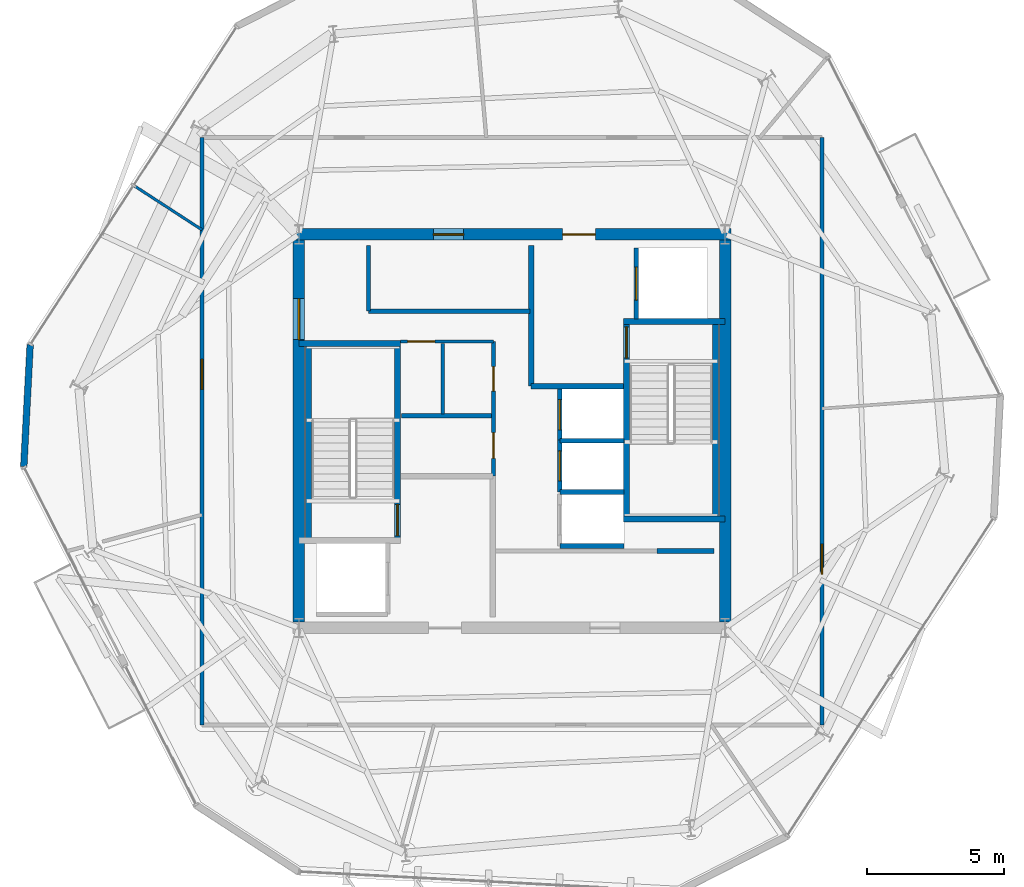
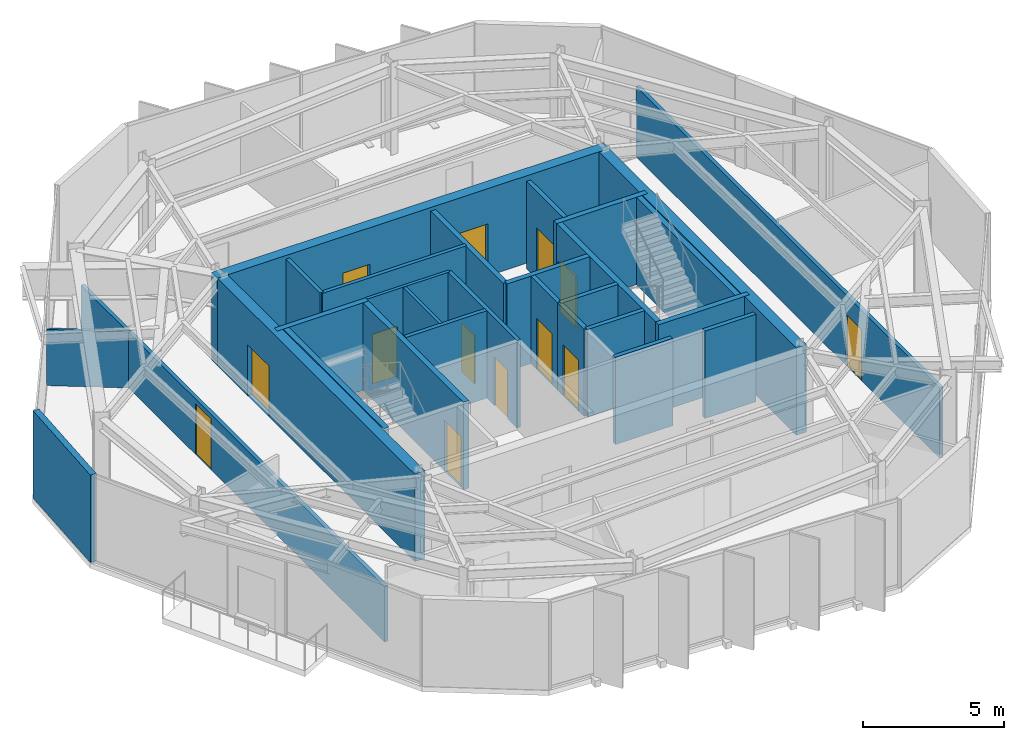
# One storey, part 8 of 11: 29 walls, 13 doors, 13 openings.
"""IFC4 building model written with IfcOpenShell, lengths in metres."""

from ifc_helpers import new_model, si_unit, direction, frame, frame_2d, origin, place, context, subcontext, project, spatial, rectangle, extrude, material, layer, layer_set, type_object, element, fill, save


model = new_model("IFC4")

# Units and contexts
model_context = context("Model", 3, precision=1e-05, world=origin(), true_north=direction((0.0, 1.0)))
body_context = subcontext(model_context, "Body", "Model", "MODEL_VIEW")
ifc_project = project(units=[si_unit("LENGTHUNIT", "METRE"), si_unit("AREAUNIT", "SQUARE_METRE"), si_unit("VOLUMEUNIT", "CUBIC_METRE"), si_unit("PLANEANGLEUNIT", "RADIAN"), si_unit("MASSUNIT", "GRAM", prefix="KILO")], contexts=[model_context])

# Site, building, storey
site_placement = place(None, origin())
site = spatial("IfcSite", under=ifc_project, at=site_placement, CompositionType="ELEMENT")
building_placement = place(site_placement, origin())
building = spatial("IfcBuilding", under=site, at=building_placement, Name="Kranzbogen Civic Tower", CompositionType="ELEMENT")
storey_placement = place(building_placement, frame((0.0, 0.0, 254.199951171875)))
storey = spatial("IfcBuildingStorey", under=building, at=storey_placement, Name="L61", CompositionType="ELEMENT", Elevation=254.199951171875)

# Walls
ifc_material_1 = material(Name="Double-Stud Acoustic Gypsum Partition")
ifc_layer_1 = layer(ifc_material_1, 0.14990234375, Name="Double-Stud Acoustic Gypsum Partition")
ifc_layer_set_1 = layer_set([ifc_layer_1], Name="Double-Stud Acoustic Gypsum Partition")
wall_type_1 = type_object("IfcWallType", Name="Acoustic Corridor and Clinical Partition 150 mm", PredefinedType="PARTITIONING", material=ifc_layer_set_1)
wall_1_placement = place(storey_placement, frame((19.75, 29.389892578125, 0.0), z_axis=(0.0, 0.0, 1.0), x_axis=(1.0, 0.0, 0.0)))
element("IfcWall", 1, at=wall_1_placement, inside=storey, type_object=wall_type_1, Name="L61 digital comms South wall", PredefinedType="PARTITIONING", context=body_context, shape_type="SweptSolid", body=[
    extrude(rectangle(XDim=5.89990234375, YDim=0.14990234375, at=frame_2d((2.949951171875, 0.0))), origin(), (0.0, 0.0, 1.0), 3.780029296875),
])
wall_2_placement = place(storey_placement, frame((19.75, 29.389892578125, 0.0), z_axis=(0.0, 0.0, 1.0), x_axis=(0.0, 1.0, 0.0)))
element("IfcWall", 2, at=wall_2_placement, inside=storey, type_object=wall_type_1, Name="L61 digital comms West wall", PredefinedType="PARTITIONING", context=body_context, shape_type="SweptSolid", body=[
    extrude(rectangle(XDim=2.41015625, YDim=0.14990234375, at=frame_2d((1.205078125, 0.0))), origin(), (0.0, 0.0, 1.0), 3.780029296875),
])

# Wall, opening, door
wall_3_placement = place(storey_placement, frame((36.35009765625, 35.75, 0.0), z_axis=(0.0, 0.0, 1.0), x_axis=(0.0, -1.0, 0.0)))
wall_3 = element("IfcWall", 3, at=wall_3_placement, inside=storey, type_object=wall_type_1, Name="L61 corridor partition 02", PredefinedType="PARTITIONING", context=body_context, shape_type="SweptSolid", body=[
    extrude(rectangle(XDim=21.5, YDim=0.14990234375, at=frame_2d((10.75, 0.0))), origin(), (0.0, 0.0, 1.0), 3.050048828125),
])
opening_1_placement = place(wall_3_placement, frame((14.887939453125, 0.0, 0.0)))
opening_1 = element("IfcOpeningElement", 4, at=opening_1_placement, cuts=wall_3, Name="Opening D-COR60", PredefinedType="OPENING", context=body_context, shape_type="SweptSolid", body=[
    extrude(rectangle(XDim=1.10009765625, YDim=2.199951171875, at=frame_2d((0.550048828125, 1.10009765625))), frame((0.0, 0.0849609375, 0.0), z_axis=(0.0, -1.0, 0.0), x_axis=(1.0, 0.0, 0.0)), (0.0, 0.0, 1.0), 0.169921875),
])
ifc_material_2 = material(Name="Oak Timber and Fire Core", Category="wood")
door_type_1 = type_object("IfcDoorType", Name="Corridor Acoustic Fire Door 1100x2200", OperationType="NOTDEFINED", PredefinedType="DOOR", material=ifc_material_2)
door_1_placement = place(opening_1_placement, origin())
door_1 = element("IfcDoor", 5, at=door_1_placement, inside=storey, type_object=door_type_1, Name="L61 Protocol Entrance Reception door", OperationType="SINGLE_SWING_RIGHT", OverallHeight=2.199951171875, OverallWidth=1.10009765625, PredefinedType="DOOR", context=body_context, shape_type="SweptSolid", body=[
    extrude(rectangle(XDim=1.10009765625, YDim=2.199951171875, at=frame_2d((0.550048828125, 1.10009765625))), frame((0.0, 0.02490234375, 0.0), z_axis=(0.0, -1.0, 0.0), x_axis=(1.0, 0.0, 0.0)), (0.0, 0.0, 1.0), 0.050048828125),
])
fill(opening_1, door_1)

wall_4_placement = place(storey_placement, frame((13.64990234375, 14.25, 0.0), z_axis=(0.0, 0.0, 1.0), x_axis=(0.0, 1.0, 0.0)))
wall_4 = element("IfcWall", 6, at=wall_4_placement, inside=storey, type_object=wall_type_1, Name="L61 corridor partition 04", PredefinedType="PARTITIONING", context=body_context, shape_type="SweptSolid", body=[
    extrude(rectangle(XDim=21.5, YDim=0.14990234375, at=frame_2d((10.75, 0.0))), origin(), (0.0, 0.0, 1.0), 2.400146484375),
])
opening_2_placement = place(wall_4_placement, frame((12.281005859375, 0.0, 0.0)))
opening_2 = element("IfcOpeningElement", 7, at=opening_2_placement, cuts=wall_4, Name="Opening D-COR60", PredefinedType="OPENING", context=body_context, shape_type="SweptSolid", body=[
    extrude(rectangle(XDim=1.10009765625, YDim=2.199951171875, at=frame_2d((0.550048828125, 1.10009765625))), frame((0.0, 0.0849609375, 0.0), z_axis=(0.0, -1.0, 0.0), x_axis=(1.0, 0.0, 0.0)), (0.0, 0.0, 1.0), 0.169921875),
])
door_2_placement = place(opening_2_placement, origin())
door_2 = element("IfcDoor", 8, at=door_2_placement, inside=storey, type_object=door_type_1, Name="L61 Citizen Services Kiosk door", OperationType="SINGLE_SWING_RIGHT", OverallHeight=2.199951171875, OverallWidth=1.10009765625, PredefinedType="DOOR", context=body_context, shape_type="SweptSolid", body=[
    extrude(rectangle(XDim=1.10009765625, YDim=2.199951171875, at=frame_2d((0.550048828125, 1.10009765625))), frame((0.0, 0.02490234375, 0.0), z_axis=(0.0, -1.0, 0.0), x_axis=(1.0, 0.0, 0.0)), (0.0, 0.0, 1.0), 0.050048828125),
])
fill(opening_2, door_2)

ifc_material_3 = material(Name="Insulated Metal-Stud Gypsum Partition")
ifc_layer_2 = layer(ifc_material_3, 0.125, Name="Insulated Metal-Stud Gypsum Partition")
ifc_layer_set_2 = layer_set([ifc_layer_2], Name="Insulated Metal-Stud Gypsum Partition")
wall_type_2 = type_object("IfcWallType", Name="Acoustic Inter-Room Partition 125 mm", PredefinedType="PARTITIONING", material=ifc_layer_set_2)
wall_5_placement = place(storey_placement, frame((20.919921875, 28.280029296875, 0.0), z_axis=(0.0, 0.0, 1.0), x_axis=(1.0, 0.0, 0.0)))
wall_5 = element("IfcWall", 9, at=wall_5_placement, inside=storey, type_object=wall_type_2, Name="L61 core auxiliary North wall", PredefinedType="PARTITIONING", context=body_context, shape_type="SweptSolid", body=[
    extrude(rectangle(XDim=3.405029296875, YDim=0.125, at=frame_2d((1.70263671875, 0.0))), origin(), (0.0, 0.0, 1.0), 3.780029296875),
])
opening_3_placement = place(wall_5_placement, frame((0.2548828125, 0.0, 0.0)))
opening_3 = element("IfcOpeningElement", 10, at=opening_3_placement, cuts=wall_5, Name="Opening D-RSR10", PredefinedType="OPENING", context=body_context, shape_type="SweptSolid", body=[
    extrude(rectangle(XDim=1.0, YDim=2.14990234375, at=frame_2d((0.5, 1.074951171875))), frame((0.0, 0.072509765625, 0.0), z_axis=(0.0, -1.0, 0.0), x_axis=(1.0, 0.0, 0.0)), (0.0, 0.0, 1.0), 0.14501953125),
])
door_type_2 = type_object("IfcDoorType", Name="Core Archive and Riser Fire Door 1000x2150", OperationType="NOTDEFINED", PredefinedType="DOOR", material=ifc_material_2)
door_3_placement = place(opening_3_placement, origin())
door_3 = element("IfcDoor", 11, at=door_3_placement, inside=storey, type_object=door_type_2, Name="L61 Telecom and Riser Room door", OperationType="SINGLE_SWING_RIGHT", OverallHeight=2.14990234375, OverallWidth=1.0, PredefinedType="DOOR", context=body_context, shape_type="SweptSolid", body=[
    extrude(rectangle(XDim=1.0, YDim=2.14990234375, at=frame_2d((0.5, 1.074951171875))), frame((0.0, 0.02490234375, 0.0), z_axis=(0.0, -1.0, 0.0), x_axis=(1.0, 0.0, 0.0)), (0.0, 0.0, 1.0), 0.050048828125),
])
fill(opening_3, door_3)

# Wall
wall_6_placement = place(storey_placement, frame((22.4599609375, 25.6201171875, 0.0), z_axis=(0.0, 0.0, 1.0), x_axis=(0.0, 1.0, 0.0)))
element("IfcWall", 12, at=wall_6_placement, inside=storey, type_object=wall_type_2, Name="L61 core auxiliary partition 2", PredefinedType="PARTITIONING", context=body_context, shape_type="SweptSolid", body=[
    extrude(rectangle(XDim=2.579833984375, YDim=0.125, at=frame_2d((1.2900390625, 0.0))), origin(), (0.0, 0.0, 1.0), 3.780029296875),
])

# Wall, openings, doors
ifc_material_4 = material(Name="Concrete C45/55", Category="concrete")
ifc_layer_3 = layer(ifc_material_4, 0.419921875, Name="Concrete C45/55")
ifc_layer_set_3 = layer_set([ifc_layer_3], Name="Concrete C45/55")
wall_type_3 = type_object("IfcWallType", Name="Central Core Shear Wall 420 mm", PredefinedType="SHEAR", material=ifc_layer_set_3)
wall_7_placement = place(storey_placement, frame((33.010009765625, 32.199951171875, 0.0), z_axis=(0.0, 0.0, 1.0), x_axis=(-1.0, 0.0, 0.0)))
wall_7 = element("IfcWall", 13, at=wall_7_placement, inside=storey, type_object=wall_type_3, Name="L61 central core North shear wall", PredefinedType="SHEAR", context=body_context, shape_type="SweptSolid", body=[
    extrude(rectangle(XDim=16.02001953125, YDim=0.419921875, at=frame_2d((8.010009765625, 0.0))), origin(), (0.0, 0.0, 1.0), 3.780029296875),
])
opening_4_placement = place(wall_7_placement, frame((4.9599609375, 0.0, 0.0)))
opening_4 = element("IfcOpeningElement", 14, at=opening_4_placement, cuts=wall_7, Name="Opening D-EX120", PredefinedType="OPENING", context=body_context, shape_type="SweptSolid", body=[
    extrude(rectangle(XDim=1.199951171875, YDim=2.25, at=frame_2d((0.60009765625, 1.125))), frame((0.0, 0.219970703125, 0.0), z_axis=(0.0, -1.0, 0.0), x_axis=(1.0, 0.0, 0.0)), (0.0, 0.0, 1.0), 0.43994140625),
])
opening_5_placement = place(wall_7_placement, frame((9.784912109375, 0.0, 0.0)))
opening_5 = element("IfcOpeningElement", 15, at=opening_5_placement, cuts=wall_7, Name="Opening D-COR60", PredefinedType="OPENING", context=body_context, shape_type="SweptSolid", body=[
    extrude(rectangle(XDim=1.10009765625, YDim=2.199951171875, at=frame_2d((0.550048828125, 1.10009765625))), frame((0.0, 0.219970703125, 0.0), z_axis=(0.0, -1.0, 0.0), x_axis=(1.0, 0.0, 0.0)), (0.0, 0.0, 1.0), 0.43994140625),
])
door_4_placement = place(opening_5_placement, origin())
door_4 = element("IfcDoor", 16, at=door_4_placement, inside=storey, type_object=door_type_1, Name="L61 DAT1 comms room door", OperationType="SINGLE_SWING_LEFT", OverallHeight=2.199951171875, OverallWidth=1.10009765625, PredefinedType="DOOR", context=body_context, shape_type="SweptSolid", body=[
    extrude(rectangle(XDim=1.10009765625, YDim=2.199951171875, at=frame_2d((0.550048828125, 1.10009765625))), frame((0.0, 0.02490234375, 0.0), z_axis=(0.0, -1.0, 0.0), x_axis=(1.0, 0.0, 0.0)), (0.0, 0.0, 1.0), 0.050048828125),
])
fill(opening_5, door_4)
ifc_material_5 = material(Name="Steel S355", Category="steel")
door_type_3 = type_object("IfcDoorType", Name="Exit Passageway Fire Door 1200x2250", OperationType="NOTDEFINED", PredefinedType="DOOR", material=ifc_material_5)
door_5_placement = place(opening_4_placement, origin())
door_5 = element("IfcDoor", 17, at=door_5_placement, inside=storey, type_object=door_type_3, Name="L61 East firefighting lobby corridor door", OperationType="SINGLE_SWING_RIGHT", OverallHeight=2.25, OverallWidth=1.199951171875, PredefinedType="DOOR", context=body_context, shape_type="SweptSolid", body=[
    extrude(rectangle(XDim=1.199951171875, YDim=2.25, at=frame_2d((0.60009765625, 1.125))), frame((0.0, 0.02490234375, 0.0), z_axis=(0.0, -1.0, 0.0), x_axis=(1.0, 0.0, 0.0)), (0.0, 0.0, 1.0), 0.050048828125),
])
fill(opening_4, door_5)

# Wall, opening, door
wall_8_placement = place(storey_placement, frame((17.199951171875, 31.989990234375, 0.0), z_axis=(0.0, 0.0, 1.0), x_axis=(0.0, -1.0, 0.0)))
wall_8 = element("IfcWall", 18, at=wall_8_placement, inside=storey, type_object=wall_type_3, Name="L61 central core West shear wall", PredefinedType="SHEAR", context=body_context, shape_type="SweptSolid", body=[
    extrude(rectangle(XDim=13.97998046875, YDim=0.419921875, at=frame_2d((6.989990234375, 0.0))), origin(), (0.0, 0.0, 1.0), 3.780029296875),
])
opening_6_placement = place(wall_8_placement, frame((2.139892578125, 0.0, 0.0)))
opening_6 = element("IfcOpeningElement", 19, at=opening_6_placement, cuts=wall_8, Name="Opening D-DBL15", PredefinedType="OPENING", context=body_context, shape_type="SweptSolid", body=[
    extrude(rectangle(XDim=1.5, YDim=2.199951171875, at=frame_2d((0.75, 1.10009765625))), frame((0.0, 0.219970703125, 0.0), z_axis=(0.0, -1.0, 0.0), x_axis=(1.0, 0.0, 0.0)), (0.0, 0.0, 1.0), 0.43994140625),
])
ifc_material_6 = material(Name="Anodised Bronze and Glass", Category="glass")
door_type_4 = type_object("IfcDoorType", Name="Civic Lobby Double Door 1500x2200", OperationType="DOUBLE_DOOR_SINGLE_SWING", PredefinedType="DOOR", material=ifc_material_6)
door_6_placement = place(opening_6_placement, origin())
door_6 = element("IfcDoor", 20, at=door_6_placement, inside=storey, type_object=door_type_4, Name="L61 Central Lift Lobby West concourse door", OperationType="DOUBLE_DOOR_SINGLE_SWING", OverallHeight=2.199951171875, OverallWidth=1.5, PredefinedType="DOOR", context=body_context, shape_type="SweptSolid", body=[
    extrude(rectangle(XDim=1.5, YDim=2.199951171875, at=frame_2d((0.75, 1.10009765625))), frame((0.0, 0.02490234375, 0.0), z_axis=(0.0, -1.0, 0.0), x_axis=(1.0, 0.0, 0.0)), (0.0, 0.0, 1.0), 0.050048828125),
])
fill(opening_6, door_6)

# Wall
wall_9_placement = place(storey_placement, frame((32.800048828125, 18.010009765625, 0.0), z_axis=(0.0, 0.0, 1.0), x_axis=(0.0, 1.0, 0.0)))
element("IfcWall", 21, at=wall_9_placement, inside=storey, type_object=wall_type_3, Name="L61 central core East shear wall", PredefinedType="SHEAR", context=body_context, shape_type="SweptSolid", body=[
    extrude(rectangle(XDim=13.97998046875, YDim=0.419921875, at=frame_2d((6.989990234375, 0.0))), origin(), (0.0, 0.0, 1.0), 3.780029296875),
])

# Wall, opening, door
ifc_layer_4 = layer(ifc_material_4, 0.219970703125, Name="Concrete C45/55")
ifc_layer_set_4 = layer_set([ifc_layer_4], Name="Concrete C45/55")
wall_type_4 = type_object("IfcWallType", Name="Core Internal Stair Structural Wall 220 mm", PredefinedType="SOLIDWALL", material=ifc_layer_set_4)
wall_10_placement = place(storey_placement, frame((20.81005859375, 20.989990234375, 0.0), z_axis=(0.0, 0.0, 1.0), x_axis=(0.0, 1.0, 0.0)))
wall_10 = element("IfcWall", 22, at=wall_10_placement, inside=storey, type_object=wall_type_4, Name="L61 ST-T1 East structural stair wall", PredefinedType="SOLIDWALL", context=body_context, shape_type="SweptSolid", body=[
    extrude(rectangle(XDim=7.219970703125, YDim=0.219970703125, at=frame_2d((3.60986328125, 0.0))), origin(), (0.0, 0.0, 1.0), 3.780029296875),
])
opening_7_placement = place(wall_10_placement, frame((0.179931640625, 0.0, 0.0)))
opening_7 = element("IfcOpeningElement", 23, at=opening_7_placement, cuts=wall_10, Name="Opening D-ST90", PredefinedType="OPENING", context=body_context, shape_type="SweptSolid", body=[
    extrude(rectangle(XDim=1.14990234375, YDim=2.199951171875, at=frame_2d((0.574951171875, 1.10009765625))), frame((0.0, 0.1201171875, 0.0), z_axis=(0.0, -1.0, 0.0), x_axis=(1.0, 0.0, 0.0)), (0.0, 0.0, 1.0), 0.239990234375),
])
door_type_5 = type_object("IfcDoorType", Name="Pressurized Stair and Lobby Fire Door 1150x2200", OperationType="NOTDEFINED", PredefinedType="DOOR", material=ifc_material_5)
door_7_placement = place(opening_7_placement, origin())
door_7 = element("IfcDoor", 24, at=door_7_placement, inside=storey, type_object=door_type_5, Name="L61 Stair ST-T1 fire door", OperationType="SINGLE_SWING_LEFT", OverallHeight=2.199951171875, OverallWidth=1.14990234375, PredefinedType="DOOR", context=body_context, shape_type="SweptSolid", body=[
    extrude(rectangle(XDim=1.14990234375, YDim=2.199951171875, at=frame_2d((0.574951171875, 1.10009765625))), frame((0.0, 0.02490234375, 0.0), z_axis=(0.0, -1.0, 0.0), x_axis=(1.0, 0.0, 0.0)), (0.0, 0.0, 1.0), 0.050048828125),
])
fill(opening_7, door_7)

# Walls
wall_11_placement = place(storey_placement, frame((17.199951171875, 28.2099609375, 0.0), z_axis=(0.0, 0.0, 1.0), x_axis=(1.0, 0.0, 0.0)))
element("IfcWall", 25, at=wall_11_placement, inside=storey, type_object=wall_type_4, Name="L61 ST-T1 North structural stair wall", PredefinedType="SOLIDWALL", context=body_context, shape_type="SweptSolid", body=[
    extrude(rectangle(XDim=3.719970703125, YDim=0.219970703125, at=frame_2d((1.85986328125, 0.0))), origin(), (0.0, 0.0, 1.0), 3.780029296875),
])
wall_12_placement = place(storey_placement, frame((17.554931640625, 28.2099609375, 0.0), z_axis=(0.0, 0.0, 1.0), x_axis=(0.0, -1.0, 0.0)))
element("IfcWall", 26, at=wall_12_placement, inside=storey, type_object=wall_type_4, Name="L61 ST-T1 West structural stair wall", PredefinedType="SOLIDWALL", context=body_context, shape_type="SweptSolid", body=[
    extrude(rectangle(XDim=7.219970703125, YDim=0.219970703125, at=frame_2d((3.60986328125, 0.0))), origin(), (0.0, 0.0, 1.0), 3.780029296875),
])

# Wall, opening, door
wall_13_placement = place(storey_placement, frame((29.18994140625, 21.7900390625, 0.0), z_axis=(0.0, 0.0, 1.0), x_axis=(0.0, 1.0, 0.0)))
wall_13 = element("IfcWall", 27, at=wall_13_placement, inside=storey, type_object=wall_type_4, Name="L61 ST-T2 West structural stair wall", PredefinedType="SOLIDWALL", context=body_context, shape_type="SweptSolid", body=[
    extrude(rectangle(XDim=7.219970703125, YDim=0.219970703125, at=frame_2d((3.60986328125, 0.0))), origin(), (0.0, 0.0, 1.0), 3.780029296875),
])
opening_8_placement = place(wall_13_placement, frame((5.8798828125, 0.0, 0.0)))
opening_8 = element("IfcOpeningElement", 28, at=opening_8_placement, cuts=wall_13, Name="Opening D-ST90", PredefinedType="OPENING", context=body_context, shape_type="SweptSolid", body=[
    extrude(rectangle(XDim=1.14990234375, YDim=2.199951171875, at=frame_2d((0.574951171875, 1.10009765625))), frame((0.0, 0.1201171875, 0.0), z_axis=(0.0, -1.0, 0.0), x_axis=(1.0, 0.0, 0.0)), (0.0, 0.0, 1.0), 0.239990234375),
])
door_8_placement = place(opening_8_placement, origin())
door_8 = element("IfcDoor", 29, at=door_8_placement, inside=storey, type_object=door_type_5, Name="L61 Stair ST-T2 fire door", OperationType="SINGLE_SWING_RIGHT", OverallHeight=2.199951171875, OverallWidth=1.14990234375, PredefinedType="DOOR", context=body_context, shape_type="SweptSolid", body=[
    extrude(rectangle(XDim=1.14990234375, YDim=2.199951171875, at=frame_2d((0.574951171875, 1.10009765625))), frame((0.0, 0.02490234375, 0.0), z_axis=(0.0, -1.0, 0.0), x_axis=(1.0, 0.0, 0.0)), (0.0, 0.0, 1.0), 0.050048828125),
])
fill(opening_8, door_8)

# Walls
for number, where, z_axis, x_axis, name in (
    (30, (29.080078125, 21.7900390625, 0.0), (0.0, 0.0, 1.0), (1.0, 0.0, 0.0), "L61 ST-T2 South structural stair wall"),
    (31, (29.080078125, 29.010009765625, 0.0), (0.0, 0.0, 1.0), (1.0, 0.0, 0.0), "L61 ST-T2 North structural stair wall"),
):
    element("IfcWall", number, at=place(storey_placement, frame(where, z_axis=z_axis, x_axis=x_axis)), inside=storey, type_object=wall_type_4, Name=name, PredefinedType="SOLIDWALL", context=body_context, shape_type="SweptSolid", body=[
        extrude(rectangle(XDim=3.719970703125, YDim=0.219970703125, at=frame_2d((1.85986328125, 0.0))), origin(), (0.0, 0.0, 1.0), 3.780029296875),
    ])
wall_14_placement = place(storey_placement, frame((32.445068359375, 29.010009765625, 0.0), z_axis=(0.0, 0.0, 1.0), x_axis=(0.0, -1.0, 0.0)))
element("IfcWall", 32, at=wall_14_placement, inside=storey, type_object=wall_type_4, Name="L61 ST-T2 East structural stair wall", PredefinedType="SOLIDWALL", context=body_context, shape_type="SweptSolid", body=[
    extrude(rectangle(XDim=7.219970703125, YDim=0.219970703125, at=frame_2d((3.60986328125, 0.0))), origin(), (0.0, 0.0, 1.0), 3.780029296875),
])
ifc_material_7 = material(Name="Demountable Aluminium and Gypsum Partition", Category="aluminium")
ifc_layer_5 = layer(ifc_material_7, 0.10009765625, Name="Demountable Aluminium and Gypsum Partition")
ifc_layer_set_5 = layer_set([ifc_layer_5], Name="Demountable Aluminium and Gypsum Partition")
wall_type_5 = type_object("IfcWallType", Name="Demountable Office Partition 100 mm", PredefinedType="MOVABLE", material=ifc_layer_set_5)
wall_15_placement = place(storey_placement, frame((13.64990234375, 32.37109375, 0.0), z_axis=(0.0, 0.0, 1.0), x_axis=(-0.838620526754, 0.544716083943, 0.0)))
element("IfcWall", 33, at=wall_15_placement, inside=storey, type_object=wall_type_5, Name="L61 radial room partition 02", PredefinedType="MOVABLE", context=body_context, shape_type="SweptSolid", body=[
    extrude(rectangle(XDim=2.963134765625, YDim=0.10009765625, at=frame_2d((1.4814453125, 0.0))), origin(), (0.0, 0.0, 1.0), 2.429931640625),
])
ifc_material_8 = material(Name="Gypsum Fireboard and Concrete Block", Category="concrete")
ifc_layer_6 = layer(ifc_material_8, 0.199951171875, Name="Gypsum Fireboard and Concrete Block")
ifc_layer_set_6 = layer_set([ifc_layer_6], Name="Gypsum Fireboard and Concrete Block")
wall_type_6 = type_object("IfcWallType", Name="Fire-Rated Exit Passageway and Stair Wall 200 mm", PredefinedType="PARTITIONING", material=ifc_layer_set_6)
wall_16_placement = place(storey_placement, frame((25.699951171875, 26.64990234375, 0.0), z_axis=(0.0, 0.0, 1.0), x_axis=(0.0, 1.0, 0.0)))
element("IfcWall", 34, at=wall_16_placement, inside=storey, type_object=wall_type_6, Name="L61 East firefighting lobby West wall", PredefinedType="PARTITIONING", context=body_context, shape_type="SweptSolid", body=[
    extrude(rectangle(XDim=5.150146484375, YDim=0.199951171875, at=frame_2d((2.5751953125, 0.0))), origin(), (0.0, 0.0, 1.0), 3.780029296875),
])
wall_17_placement = place(storey_placement, frame((25.699951171875, 26.64990234375, 0.0), z_axis=(0.0, 0.0, 1.0), x_axis=(1.0, 0.0, 0.0)))
element("IfcWall", 35, at=wall_17_placement, inside=storey, type_object=wall_type_6, Name="L61 East firefighting lobby South wall", PredefinedType="PARTITIONING", context=body_context, shape_type="SweptSolid", body=[
    extrude(rectangle(XDim=3.380126953125, YDim=0.199951171875, at=frame_2d((1.68994140625, 0.0))), origin(), (0.0, 0.0, 1.0), 3.780029296875),
])
ifc_material_9 = material(Name="Gypsum Fireboard Shaftliner")
ifc_layer_7 = layer(ifc_material_9, 0.175048828125, Name="Gypsum Fireboard Shaftliner")
ifc_layer_set_7 = layer_set([ifc_layer_7], Name="Gypsum Fireboard Shaftliner")
wall_type_7 = type_object("IfcWallType", Name="Fire-Rated Lift and Service Shaft Wall 175 mm", PredefinedType="PARTITIONING", material=ifc_layer_set_7)
wall_18_placement = place(storey_placement, frame((30.300048828125, 20.610107421875, 0.0), z_axis=(0.0, 0.0, 1.0), x_axis=(1.0, 0.0, 0.0)))
element("IfcWall", 36, at=wall_18_placement, inside=storey, type_object=wall_type_7, Name="L61 merged archive North wall", PredefinedType="PARTITIONING", context=body_context, shape_type="SweptSolid", body=[
    extrude(rectangle(XDim=2.099853515625, YDim=0.175048828125, at=frame_2d((1.0498046875, 0.0))), origin(), (0.0, 0.0, 1.0), 3.780029296875),
])
wall_19_placement = place(storey_placement, frame((26.75, 20.800048828125, 0.0), z_axis=(0.0, 0.0, 1.0), x_axis=(1.0, 0.0, 0.0)))
element("IfcWall", 37, at=wall_19_placement, inside=storey, type_object=wall_type_7, Name="L61 lift HP-01 side wall", PredefinedType="PARTITIONING", context=body_context, shape_type="SweptSolid", body=[
    extrude(rectangle(XDim=2.35009765625, YDim=0.175048828125, at=frame_2d((1.175048828125, 0.0))), origin(), (0.0, 0.0, 1.0), 3.780029296875),
])

# Wall, opening, door
wall_20_placement = place(storey_placement, frame((26.75, 22.77490234375, 0.0), z_axis=(0.0, 0.0, 1.0), x_axis=(0.0, 1.0, 0.0)))
wall_20 = element("IfcWall", 38, at=wall_20_placement, inside=storey, type_object=wall_type_7, Name="L61 lift HP-02 landing wall", PredefinedType="PARTITIONING", context=body_context, shape_type="SweptSolid", body=[
    extrude(rectangle(XDim=1.900146484375, YDim=0.175048828125, at=frame_2d((0.9501953125, 0.0))), origin(), (0.0, 0.0, 1.0), 3.780029296875),
])
opening_9_placement = place(wall_20_placement, frame((0.39990234375, 0.0, 0.0)))
opening_9 = element("IfcOpeningElement", 39, at=opening_9_placement, cuts=wall_20, Name="Opening LD-HP-02", PredefinedType="OPENING", context=body_context, shape_type="SweptSolid", body=[
    extrude(rectangle(XDim=1.10009765625, YDim=2.199951171875, at=frame_2d((0.550048828125, 1.10009765625))), frame((0.0, 0.09765625, 0.0), z_axis=(0.0, -1.0, 0.0), x_axis=(1.0, 0.0, 0.0)), (0.0, 0.0, 1.0), 0.195068359375),
])
ifc_material_10 = material(Name="Pale Anodised Aluminium", Category="aluminium")
door_type_6 = type_object("IfcDoorType", Name="Passenger Lift Sliding Landing Door 1100x2200", OperationType="DOUBLE_DOOR_SLIDING", PredefinedType="DOOR", material=ifc_material_10)
door_9_placement = place(opening_9_placement, origin())
door_9 = element("IfcDoor", 40, at=door_9_placement, inside=storey, type_object=door_type_6, Name="L61 lift HP-02 sliding landing door", OperationType="DOUBLE_DOOR_SLIDING", OverallHeight=2.199951171875, OverallWidth=1.10009765625, PredefinedType="DOOR", context=body_context, shape_type="SweptSolid", body=[
    extrude(rectangle(XDim=1.10009765625, YDim=2.199951171875, at=frame_2d((0.550048828125, 1.10009765625))), frame((0.0, 0.02490234375, 0.0), z_axis=(0.0, -1.0, 0.0), x_axis=(1.0, 0.0, 0.0)), (0.0, 0.0, 1.0), 0.050048828125),
])
fill(opening_9, door_9)

# Wall
wall_21_placement = place(storey_placement, frame((26.75, 22.77490234375, 0.0), z_axis=(0.0, 0.0, 1.0), x_axis=(1.0, 0.0, 0.0)))
element("IfcWall", 41, at=wall_21_placement, inside=storey, type_object=wall_type_7, Name="L61 lift HP-02 side wall", PredefinedType="PARTITIONING", context=body_context, shape_type="SweptSolid", body=[
    extrude(rectangle(XDim=2.35009765625, YDim=0.175048828125, at=frame_2d((1.175048828125, 0.0))), origin(), (0.0, 0.0, 1.0), 3.780029296875),
])

# Wall, opening, door
wall_22_placement = place(storey_placement, frame((26.75, 24.64990234375, 0.0), z_axis=(0.0, 0.0, 1.0), x_axis=(0.0, 1.0, 0.0)))
wall_22 = element("IfcWall", 42, at=wall_22_placement, inside=storey, type_object=wall_type_7, Name="L61 lift HP-03 landing wall", PredefinedType="PARTITIONING", context=body_context, shape_type="SweptSolid", body=[
    extrude(rectangle(XDim=1.900146484375, YDim=0.175048828125, at=frame_2d((0.9501953125, 0.0))), origin(), (0.0, 0.0, 1.0), 3.780029296875),
])
opening_10_placement = place(wall_22_placement, frame((0.39990234375, 0.0, 0.0)))
opening_10 = element("IfcOpeningElement", 43, at=opening_10_placement, cuts=wall_22, Name="Opening LD-HP-03", PredefinedType="OPENING", context=body_context, shape_type="SweptSolid", body=[
    extrude(rectangle(XDim=1.10009765625, YDim=2.199951171875, at=frame_2d((0.550048828125, 1.10009765625))), frame((0.0, 0.09765625, 0.0), z_axis=(0.0, -1.0, 0.0), x_axis=(1.0, 0.0, 0.0)), (0.0, 0.0, 1.0), 0.195068359375),
])
door_10_placement = place(opening_10_placement, origin())
door_10 = element("IfcDoor", 44, at=door_10_placement, inside=storey, type_object=door_type_6, Name="L61 lift HP-03 sliding landing door", OperationType="DOUBLE_DOOR_SLIDING", OverallHeight=2.199951171875, OverallWidth=1.10009765625, PredefinedType="DOOR", context=body_context, shape_type="SweptSolid", body=[
    extrude(rectangle(XDim=1.10009765625, YDim=2.199951171875, at=frame_2d((0.550048828125, 1.10009765625))), frame((0.0, 0.02490234375, 0.0), z_axis=(0.0, -1.0, 0.0), x_axis=(1.0, 0.0, 0.0)), (0.0, 0.0, 1.0), 0.050048828125),
])
fill(opening_10, door_10)

# Wall
wall_23_placement = place(storey_placement, frame((26.75, 24.64990234375, 0.0), z_axis=(0.0, 0.0, 1.0), x_axis=(1.0, 0.0, 0.0)))
element("IfcWall", 45, at=wall_23_placement, inside=storey, type_object=wall_type_7, Name="L61 lift HP-03 side wall", PredefinedType="PARTITIONING", context=body_context, shape_type="SweptSolid", body=[
    extrude(rectangle(XDim=2.35009765625, YDim=0.175048828125, at=frame_2d((1.175048828125, 0.0))), origin(), (0.0, 0.0, 1.0), 3.780029296875),
])

# Wall, opening, door
wall_24_placement = place(storey_placement, frame((29.550048828125, 29.10009765625, 0.0), z_axis=(0.0, 0.0, 1.0), x_axis=(0.0, 1.0, 0.0)))
wall_24 = element("IfcWall", 46, at=wall_24_placement, inside=storey, type_object=wall_type_7, Name="L61 lift FF-02 landing wall", PredefinedType="PARTITIONING", context=body_context, shape_type="SweptSolid", body=[
    extrude(rectangle(XDim=2.599853515625, YDim=0.175048828125, at=frame_2d((1.2998046875, 0.0))), origin(), (0.0, 0.0, 1.0), 3.780029296875),
])
opening_11_placement = place(wall_24_placement, frame((0.699951171875, 0.0, 0.0)))
opening_11 = element("IfcOpeningElement", 47, at=opening_11_placement, cuts=wall_24, Name="Opening LD-FF-02", PredefinedType="OPENING", context=body_context, shape_type="SweptSolid", body=[
    extrude(rectangle(XDim=1.199951171875, YDim=2.199951171875, at=frame_2d((0.60009765625, 1.10009765625))), frame((0.0, 0.09765625, 0.0), z_axis=(0.0, -1.0, 0.0), x_axis=(1.0, 0.0, 0.0)), (0.0, 0.0, 1.0), 0.195068359375),
])
door_type_7 = type_object("IfcDoorType", Name="Firefighting and Stretcher Lift Sliding Landing Door 1200x2200", OperationType="DOUBLE_DOOR_SLIDING", PredefinedType="DOOR", material=ifc_material_10)
door_11_placement = place(opening_11_placement, origin())
door_11 = element("IfcDoor", 48, at=door_11_placement, inside=storey, type_object=door_type_7, Name="L61 lift FF-02 sliding landing door", OperationType="DOUBLE_DOOR_SLIDING", OverallHeight=2.199951171875, OverallWidth=1.199951171875, PredefinedType="DOOR", context=body_context, shape_type="SweptSolid", body=[
    extrude(rectangle(XDim=1.199951171875, YDim=2.199951171875, at=frame_2d((0.60009765625, 1.10009765625))), frame((0.0, 0.02490234375, 0.0), z_axis=(0.0, -1.0, 0.0), x_axis=(1.0, 0.0, 0.0)), (0.0, 0.0, 1.0), 0.050048828125),
])
fill(opening_11, door_11)

# Wall
ifc_layer_8 = layer(ifc_material_10, 0.239990234375, Name="Pale Anodised Aluminium")
ifc_layer_set_8 = layer_set([ifc_layer_8], Name="Pale Anodised Aluminium")
wall_type_8 = type_object("IfcWallType", Name="Insulated Aluminium Facade Portal Wall 240 mm", PredefinedType="STANDARD", material=ifc_layer_set_8)
wall_25_placement = place(storey_placement, frame((7.363037109375, 28.159912109375, 0.0), z_axis=(0.0, 0.0, 1.0), x_axis=(-0.052217320226, -0.998635745139, 0.0)))
element("IfcWall", 49, at=wall_25_placement, inside=storey, type_object=wall_type_8, Name="L61 chamfered corner facade spandrel 2", PredefinedType="STANDARD", context=body_context, shape_type="SweptSolid", body=[
    extrude(rectangle(XDim=4.465087890625, YDim=0.239990234375, at=frame_2d((2.232421875, 0.0))), origin(), (0.0, 0.0, 1.0), 3.780029296875),
])

# Wall, openings, doors
ifc_material_11 = material(Name="Moisture-Resistant Gypsum Assembly")
ifc_layer_9 = layer(ifc_material_11, 0.159912109375, Name="Moisture-Resistant Gypsum Assembly")
ifc_layer_set_9 = layer_set([ifc_layer_9], Name="Moisture-Resistant Gypsum Assembly")
wall_type_9 = type_object("IfcWallType", Name="Sanitary and Plumbing Wet Wall 160 mm", PredefinedType="PLUMBINGWALL", material=ifc_layer_set_9)
wall_26_placement = place(storey_placement, frame((24.324951171875, 23.35009765625, 0.0), z_axis=(0.0, 0.0, 1.0), x_axis=(0.0, 1.0, 0.0)))
wall_26 = element("IfcWall", 50, at=wall_26_placement, inside=storey, type_object=wall_type_9, Name="L61 core auxiliary East wall", PredefinedType="PLUMBINGWALL", context=body_context, shape_type="SweptSolid", body=[
    extrude(rectangle(XDim=4.929931640625, YDim=0.159912109375, at=frame_2d((2.46484375, 0.0))), origin(), (0.0, 0.0, 1.0), 3.780029296875),
])
opening_12_placement = place(wall_26_placement, frame((0.64990234375, 0.0, 0.0)))
opening_12 = element("IfcOpeningElement", 51, at=opening_12_placement, cuts=wall_26, Name="Opening D-AWC95", PredefinedType="OPENING", context=body_context, shape_type="SweptSolid", body=[
    extrude(rectangle(XDim=0.949951171875, YDim=2.10009765625, at=frame_2d((0.47509765625, 1.050048828125))), frame((0.0, 0.08984375, 0.0), z_axis=(0.0, -1.0, 0.0), x_axis=(1.0, 0.0, 0.0)), (0.0, 0.0, 1.0), 0.179931640625),
])
opening_13_placement = place(wall_26_placement, frame((3.110107421875, 0.0, 0.0)))
opening_13 = element("IfcOpeningElement", 52, at=opening_13_placement, cuts=wall_26, Name="Opening D-WC90", PredefinedType="OPENING", context=body_context, shape_type="SweptSolid", body=[
    extrude(rectangle(XDim=0.89990234375, YDim=2.10009765625, at=frame_2d((0.449951171875, 1.050048828125))), frame((0.0, 0.08984375, 0.0), z_axis=(0.0, -1.0, 0.0), x_axis=(1.0, 0.0, 0.0)), (0.0, 0.0, 1.0), 0.179931640625),
])
ifc_material_12 = material(Name="Moisture-Resistant Laminate")
door_type_8 = type_object("IfcDoorType", Name="Accessible Restroom Door 950x2100", OperationType="NOTDEFINED", PredefinedType="DOOR", material=ifc_material_12)
door_12_placement = place(opening_12_placement, origin())
door_12 = element("IfcDoor", 53, at=door_12_placement, inside=storey, type_object=door_type_8, Name="L61 Accessible Restroom door", OperationType="SINGLE_SWING_LEFT", OverallHeight=2.10009765625, OverallWidth=0.949951171875, PredefinedType="DOOR", context=body_context, shape_type="SweptSolid", body=[
    extrude(rectangle(XDim=0.949951171875, YDim=2.10009765625, at=frame_2d((0.47509765625, 1.050048828125))), frame((0.0, 0.02490234375, 0.0), z_axis=(0.0, -1.0, 0.0), x_axis=(1.0, 0.0, 0.0)), (0.0, 0.0, 1.0), 0.050048828125),
])
fill(opening_12, door_12)
door_type_9 = type_object("IfcDoorType", Name="Standard Restroom and Store Door 900x2100", OperationType="NOTDEFINED", PredefinedType="DOOR", material=ifc_material_12)
door_13_placement = place(opening_13_placement, origin())
door_13 = element("IfcDoor", 54, at=door_13_placement, inside=storey, type_object=door_type_9, Name="L61 Staff Restroom door", OperationType="SINGLE_SWING_LEFT", OverallHeight=2.10009765625, OverallWidth=0.89990234375, PredefinedType="DOOR", context=body_context, shape_type="SweptSolid", body=[
    extrude(rectangle(XDim=0.89990234375, YDim=2.10009765625, at=frame_2d((0.449951171875, 1.050048828125))), frame((0.0, 0.02490234375, 0.0), z_axis=(0.0, -1.0, 0.0), x_axis=(1.0, 0.0, 0.0)), (0.0, 0.0, 1.0), 0.050048828125),
])
fill(opening_13, door_13)

# Wall
wall_27_placement = place(storey_placement, frame((20.949951171875, 25.56005859375, 0.0), z_axis=(0.0, 0.0, 1.0), x_axis=(1.0, 0.0, 0.0)))
element("IfcWall", 55, at=wall_27_placement, inside=storey, type_object=wall_type_9, Name="L61 core auxiliary partition 1", PredefinedType="PLUMBINGWALL", context=body_context, shape_type="SweptSolid", body=[
    extrude(rectangle(XDim=3.300048828125, YDim=0.159912109375, at=frame_2d((1.64990234375, 0.0))), origin(), (0.0, 0.0, 1.0), 3.780029296875),
])

save(model, "model.ifc")
